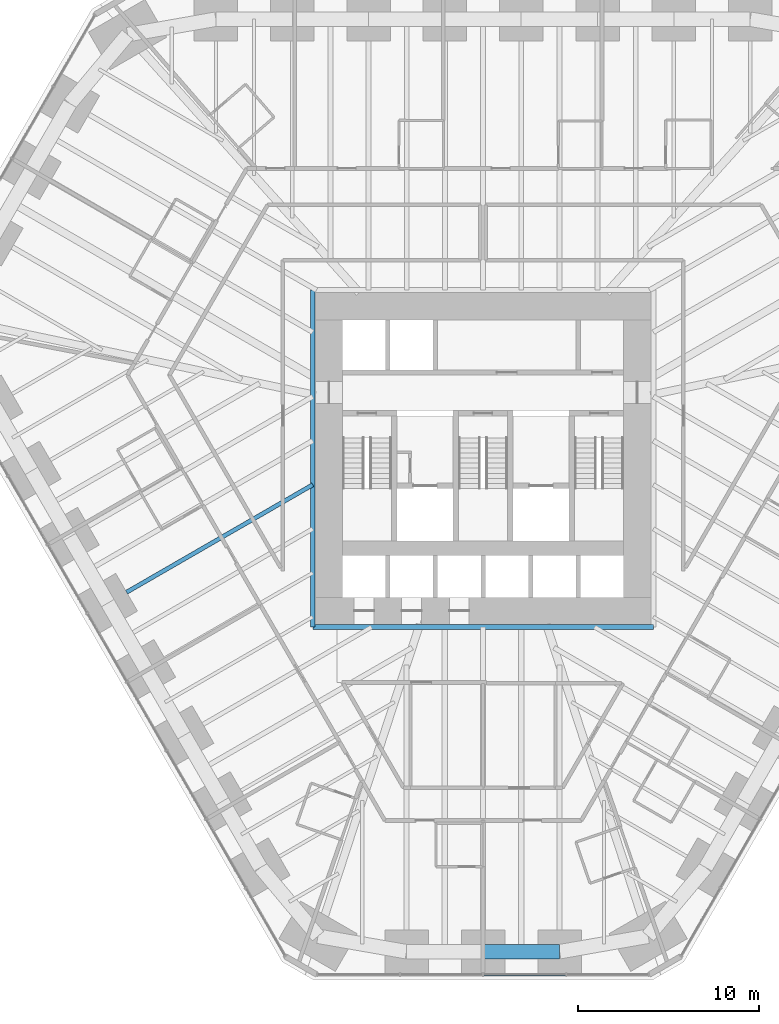
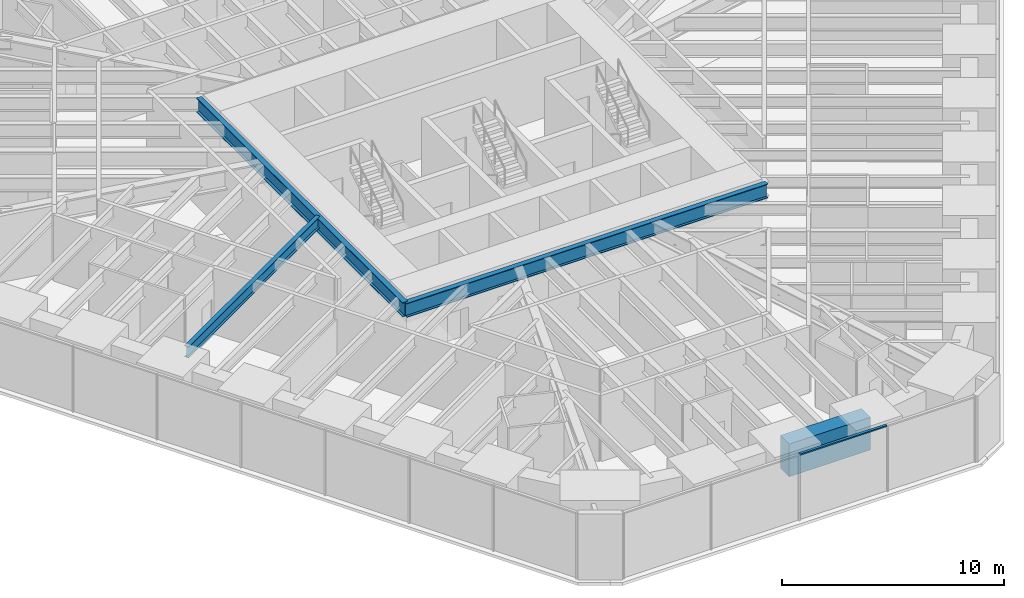
# One storey, part 4 of 17: 4 beams, 1 member, 1 element without a shape of its own.
"""IFC4 building model written with IfcOpenShell, lengths in metres."""

from ifc_helpers import new_model, si_unit, direction, frame, origin, origin_2d, place, context, subcontext, project, spatial, rectangle, i_section, extrude, material, material_profile, profile_set, type_object, element, aggregate, save


model = new_model("IFC4")

# Units and contexts
model_context = context("Model", 3, precision=1e-05, world=origin(), true_north=direction((0.0, 1.0)))
body_context = subcontext(model_context, "Body", "Model", "MODEL_VIEW")
ifc_project = project(units=[si_unit("LENGTHUNIT", "METRE"), si_unit("AREAUNIT", "SQUARE_METRE"), si_unit("VOLUMEUNIT", "CUBIC_METRE"), si_unit("PLANEANGLEUNIT", "RADIAN"), si_unit("MASSUNIT", "GRAM", prefix="KILO")], contexts=[model_context])

# Site, building, storey
site_placement = place(None, origin())
site = spatial("IfcSite", under=ifc_project, at=site_placement, CompositionType="ELEMENT")
building_placement = place(site_placement, origin())
building = spatial("IfcBuilding", under=site, at=building_placement, Name="Sandreach Pilgrim Tower", CompositionType="ELEMENT")
storey_placement = place(building_placement, frame((0.0, 0.0, 34.39990234375)))
storey = spatial("IfcBuildingStorey", under=building, at=storey_placement, Name="L07", CompositionType="ELEMENT", Elevation=34.39990234375)

# Curtain wall, member
ifc_material_1 = material(Name="Aluminium framed curtain wall", Category="aluminium")
curtain_wall_type = type_object("IfcCurtainWallType", Name="Hostel tower curtain wall", PredefinedType="NOTDEFINED", material=ifc_material_1)
curtain_wall_placement = place(storey_placement, origin())
curtain_wall = element("IfcCurtainWall", 1, at=curtain_wall_placement, inside=storey, type_object=curtain_wall_type, Name="CW-1 L07 S", PredefinedType="NOTDEFINED")
ifc_material_2 = material(Name="Aluminium extrusion", Category="aluminium")
ifc_material_profile_1 = material_profile(ifc_material_2, rectangle(XDim=0.139892578125, YDim=0.070068359375, at=origin_2d()), Name="CW-1T 140X70")
ifc_profile_set_1 = profile_set([ifc_material_profile_1], Name="Aluminium extrusion")
member_type = type_object("IfcMemberType", Name="CW-1 transom", PredefinedType="USERDEFINED", material=ifc_profile_set_1)
member_placement = place(storey_placement, frame((4.553466796875, -30.010986328125, 3.60498046875), z_axis=(-1.0, 0.0, 0.0), x_axis=(0.0, -1.0, 0.0)))
member = element("IfcMember", 2, at=member_placement, type_object=member_type, Name="CW-1 head transom 2", ObjectType="TRANSOM", PredefinedType="USERDEFINED", context=body_context, shape_type="SweptSolid", body=[
    extrude(rectangle(XDim=0.139892578125, YDim=0.070068359375, at=origin_2d()), origin(), (0.0, 0.0, 1.0), 4.52099609375),
])
aggregate(curtain_wall, [member])

# Beams
ifc_material_3 = material(Name="Steel ASTM A992 Grade 50", Category="steel")
ifc_material_profile_2 = material_profile(ifc_material_3, i_section(OverallWidth=0.2666015625, OverallDepth=0.77978515625, WebThickness=0.0166015625, FlangeThickness=0.030029296875, at=origin_2d()), Name="W30X148")
ifc_profile_set_2 = profile_set([ifc_material_profile_2], Name="Steel ASTM A992 Grade 50")
beam_type_1 = type_object("IfcBeamType", Name="Core edge beam W30X148", PredefinedType="BEAM", material=ifc_profile_set_2)
beam_1_placement = place(storey_placement, frame((9.393310546875, -10.84326171875, 3.250244140625), z_axis=(-1.0, 0.0, 0.0), x_axis=(0.0, -1.0, 0.0)))
element("IfcBeam", 3, at=beam_1_placement, inside=storey, type_object=beam_type_1, Name="BM L07 CES", PredefinedType="BEAM", context=body_context, shape_type="SweptSolid", body=[
    extrude(i_section(OverallWidth=0.2666015625, OverallDepth=0.77978515625, WebThickness=0.0166015625, FlangeThickness=0.030029296875, at=origin_2d()), origin(), (0.0, 0.0, 1.0), 18.78662109375),
])
beam_2_placement = place(storey_placement, frame((-9.393310546875, -10.84326171875, 3.250244140625), z_axis=(0.0, 1.0, 0.0), x_axis=(-1.0, 0.0, 0.0)))
element("IfcBeam", 4, at=beam_2_placement, inside=storey, type_object=beam_type_1, Name="BM L07 CEW", PredefinedType="BEAM", context=body_context, shape_type="SweptSolid", body=[
    extrude(i_section(OverallWidth=0.2666015625, OverallDepth=0.77978515625, WebThickness=0.0166015625, FlangeThickness=0.030029296875, at=origin_2d()), origin(), (0.0, 0.0, 1.0), 18.586669921875),
])
ifc_material_4 = material(Name="Steel ASTM A992 Grade 50", Category="steel")
ifc_material_profile_3 = material_profile(ifc_material_4, i_section(OverallWidth=0.23046875, OverallDepth=0.6171875, WebThickness=0.01318359375, FlangeThickness=0.022216796875, at=origin_2d()), Name="W24X94")
ifc_profile_set_3 = profile_set([ifc_material_profile_3], Name="Steel ASTM A992 Grade 50")
beam_type_2 = type_object("IfcBeamType", Name="Floor beam W24X94", PredefinedType="BEAM", material=ifc_profile_set_3)
beam_3_placement = place(storey_placement, frame((-19.662353515625, -8.92138671875, 3.33154296875), z_axis=(0.866029924088, 0.499992170523, 0.0), x_axis=(-0.499992170523, 0.866029924088, 0.0)))
element("IfcBeam", 5, at=beam_3_placement, inside=storey, type_object=beam_type_2, Name="BM L07 F31", PredefinedType="BEAM", context=body_context, shape_type="SweptSolid", body=[
    extrude(i_section(OverallWidth=0.23046875, OverallDepth=0.6171875, WebThickness=0.01318359375, FlangeThickness=0.022216796875, at=origin_2d()), origin(), (0.0, 0.0, 1.0), 11.857666015625),
])
ifc_material_5 = material(Name="Concrete 10000 psi", Category="concrete")
ifc_material_profile_4 = material_profile(ifc_material_5, rectangle(XDim=0.800048828125, YDim=1.800048828125, at=origin_2d()), Name="RC800X1800")
ifc_profile_set_4 = profile_set([ifc_material_profile_4], Name="Concrete 10000 psi")
beam_type_3 = type_object("IfcBeamType", Name="Spandrel beam RC800X1800", PredefinedType="SPANDREL", material=ifc_profile_set_4)
beam_4_placement = place(storey_placement, frame((4.222412109375, -28.7509765625, 2.739990234375), z_axis=(-1.0, 0.0, 0.0), x_axis=(0.0, -1.0, 0.0)))
element("IfcBeam", 6, at=beam_4_placement, inside=storey, type_object=beam_type_3, Name="BM L07 SP23", PredefinedType="SPANDREL", context=body_context, shape_type="SweptSolid", body=[
    extrude(rectangle(XDim=0.800048828125, YDim=1.800048828125, at=origin_2d()), origin(), (0.0, 0.0, 1.0), 4.222412109375),
])

save(model, "model.ifc")
